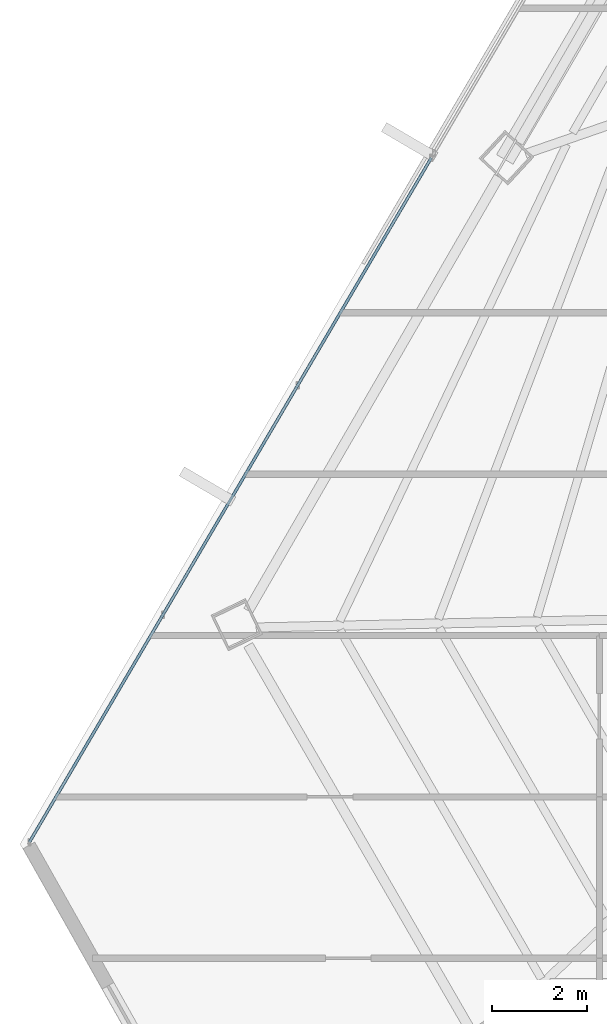
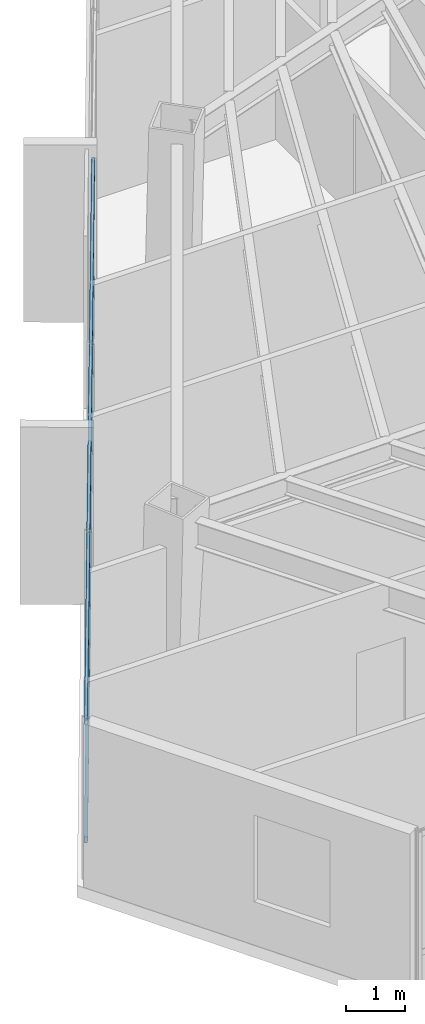
# One storey, part 8 of 42: 2 members, 1 element without a shape of its own.
"""IFC4 building model written with IfcOpenShell, lengths in metres."""

from ifc_helpers import new_model, si_unit, direction, frame, origin, origin_2d, place, context, subcontext, project, spatial, hollow_rectangle, extrude, source, transform, mapped, material, material_profile, profile_set, type_object, type_shapes, element, aggregate, save


model = new_model("IFC4")

# Units and contexts
model_context = context("Model", 3, precision=1e-05, world=origin(), true_north=direction((0.0, 1.0)))
body_context = subcontext(model_context, "Body", "Model", "MODEL_VIEW")
ifc_project = project(units=[si_unit("LENGTHUNIT", "METRE"), si_unit("AREAUNIT", "SQUARE_METRE"), si_unit("VOLUMEUNIT", "CUBIC_METRE"), si_unit("PLANEANGLEUNIT", "RADIAN"), si_unit("MASSUNIT", "GRAM", prefix="KILO")], contexts=[model_context])

# Site, building, storey
site_placement = place(None, origin())
site = spatial("IfcSite", under=ifc_project, at=site_placement, CompositionType="ELEMENT")
building_placement = place(site_placement, origin())
building = spatial("IfcBuilding", under=site, at=building_placement, Name="Caelisora Broadcast Tower", CompositionType="ELEMENT")
storey_placement = place(building_placement, frame((0.0, 0.0, 202.300048828125)))
storey = spatial("IfcBuildingStorey", under=building, at=storey_placement, Name="L53", CompositionType="ELEMENT", Elevation=202.300048828125)

# Curtain wall, members
ifc_material_1 = material(Name="Unitised Aluminium and Low-E Glass Curtain Wall", Category="glass")
curtain_wall_type = type_object("IfcCurtainWallType", Name="CW-Z4", PredefinedType="NOTDEFINED", material=ifc_material_1)
curtain_wall_placement = place(storey_placement, origin())
curtain_wall = element("IfcCurtainWall", 1, at=curtain_wall_placement, inside=storey, type_object=curtain_wall_type, Name="L53 curtain wall CW-Z4", PredefinedType="NOTDEFINED")
ifc_material_2 = material(Name="Aluminium 6063-T6 Anodised Terracotta Bronze", Category="aluminium")
ifc_material_profile = material_profile(ifc_material_2, hollow_rectangle(XDim=0.06005859375, YDim=0.1201171875, WallThickness=0.0029296875, at=origin_2d()), Name="Aluminium 6063-T6 Anodised Terracotta Bronze")
ifc_profile_set = profile_set([ifc_material_profile], Name="Aluminium 6063-T6 Anodised Terracotta Bronze")
member_type = type_object("IfcMemberType", Name="CWT-03", PredefinedType="USERDEFINED", material=ifc_profile_set)
shared_shape = source(origin(), body_context, "Body", "SweptSolid", [
    extrude(hollow_rectangle(XDim=0.06005859375, YDim=0.1201171875, WallThickness=0.0029296875, at=origin_2d()), origin(), (0.0, 0.0, 1.0), 16.670654296875),
])
type_shapes(member_type, [shared_shape])
member_1_placement = place(storey_placement, frame((11.5263671875, 12.580078125, 0.849853515625), z_axis=(0.506407508606, 0.862294285744, 0.0), x_axis=(-0.862294285744, 0.506407508606, 0.0)))
member_1 = element("IfcMember", 2, at=member_1_placement, type_object=member_type, Name="L53-CW-B09 transom #1", ObjectType="TRANSOM", PredefinedType="USERDEFINED", context=body_context, shape_type="MappedRepresentation", body=[
    mapped(shared_shape, transform((0.0, 0.0, 0.0), scale=1.0)),
])
member_2_placement = place(storey_placement, frame((11.5263671875, 12.580078125, 3.320068359375), z_axis=(0.506407508606, 0.862294285744, 0.0), x_axis=(-0.862294285744, 0.506407508606, 0.0)))
member_2 = element("IfcMember", 3, at=member_2_placement, type_object=member_type, Name="L53-CW-B09 transom #2", ObjectType="TRANSOM", PredefinedType="USERDEFINED", context=body_context, shape_type="MappedRepresentation", body=[
    mapped(shared_shape, transform((0.0, 0.0, 0.0), scale=1.0)),
])
aggregate(curtain_wall, [member_1, member_2])

save(model, "model.ifc")
